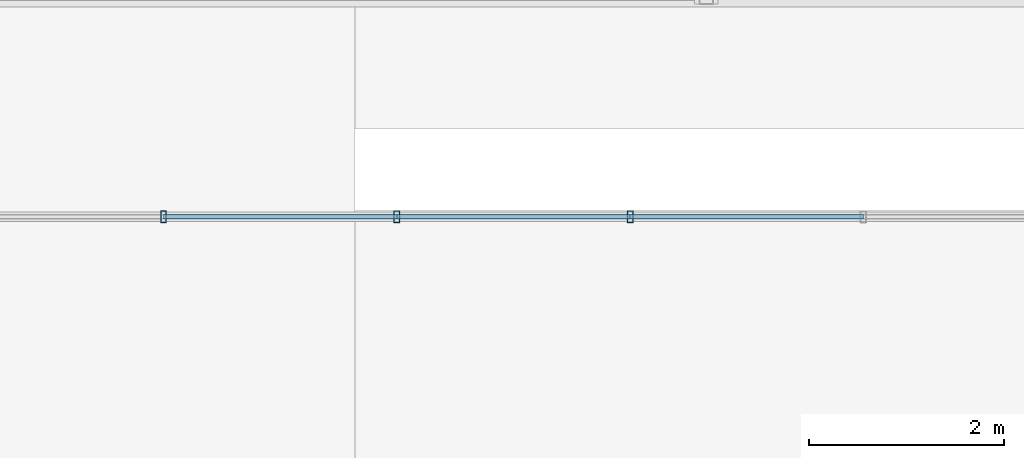
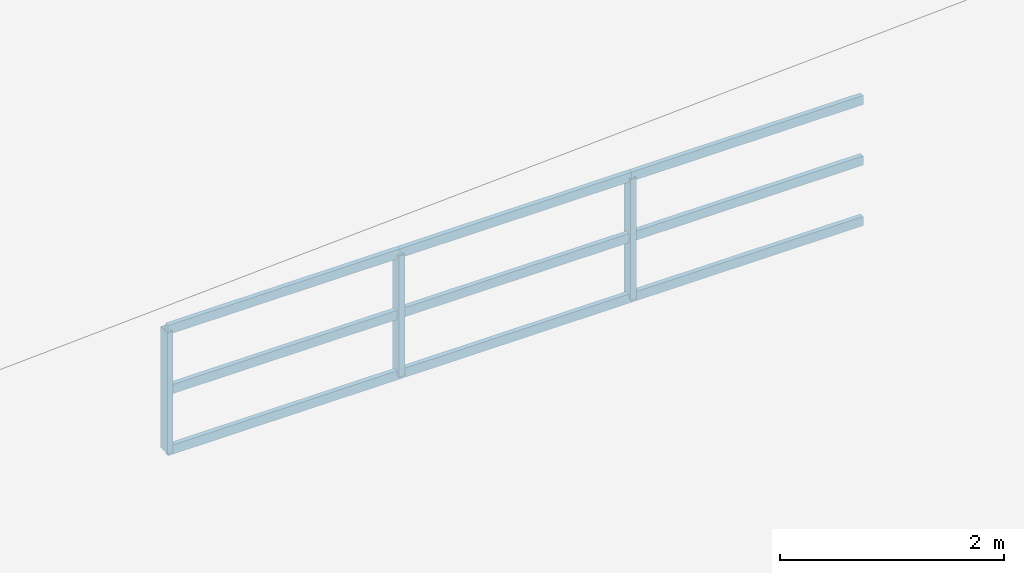
# One storey, part 4 of 141: 12 members, 1 element without a shape of its own.
"""IFC4 building model written with IfcOpenShell, lengths in metres."""

import ifcopenshell
import ifcopenshell.guid

model = None  # the IFC model being written
_history = None  # IfcOwnerHistory: only IFC2X3 demands one
_inside = {}  # id of a spatial element -> (the spatial element, [elements in it])
_under = {}  # id of a project, library or spatial element -> (it, [spatial elements below it])
_declared = {}  # id of a project -> (the project, [libraries it declares])
_typed = {}  # id of a type object -> (the type object, [elements of that type])
_made_of = {}  # id of a material, layer set ... -> (it, [elements and type objects made of it])


def new_model(schema):
    """Start an empty IFC model of exactly this schema.

    Asked for "IFC4X3", IfcOpenShell would pick the latest addendum, in which some entities
    have other attributes; the version numbers below select the first issue.
    IFC2X3 requires an IfcOwnerHistory on every rooted entity: one is made here for all.
    """
    global model, _history
    if schema == "IFC4X3":
        model = ifcopenshell.file(schema_version=(4, 3, 0, 0))
    else:
        model = ifcopenshell.file(schema=schema)
    _inside.clear()
    _under.clear()
    _declared.clear()
    _typed.clear()
    _made_of.clear()
    _history = None
    if model.schema == "IFC2X3":
        org = make("IfcOrganization", Name="unknown")
        user = make(
            "IfcPersonAndOrganization",
            ThePerson=make("IfcPerson", FamilyName="unknown"),
            TheOrganization=org,
        )
        app = make(
            "IfcApplication",
            ApplicationDeveloper=org,
            Version="unknown",
            ApplicationFullName="unknown",
            ApplicationIdentifier="unknown",
        )
        _history = make(
            "IfcOwnerHistory",
            OwningUser=user,
            OwningApplication=app,
            ChangeAction="ADDED",
            CreationDate=0,
        )
    return model


def make(cls, **values):
    """One entity of the class cls with the attributes given. An attribute that is None is left unset."""
    return model.create_entity(
        cls, **{name: value for name, value in values.items() if value is not None}
    )


def rooted(cls, **values):
    """An entity with a GlobalId (a new one), such as an element, a storey or a relation."""
    return make(cls, GlobalId=ifcopenshell.guid.new(), OwnerHistory=_history, **values)


def si_unit(unit_type, name, prefix=None):
    """IfcSIUnit, for example si_unit("LENGTHUNIT", "METRE", prefix="MILLI")."""
    return make("IfcSIUnit", UnitType=unit_type, Prefix=prefix, Name=name)


def assignment(units):
    """IfcUnitAssignment: the units of a project."""
    return None if units is None else make("IfcUnitAssignment", Units=units)


def point(xyz):
    """IfcCartesianPoint."""
    return None if xyz is None else make("IfcCartesianPoint", Coordinates=xyz)


def direction(xyz):
    """IfcDirection."""
    return None if xyz is None else make("IfcDirection", DirectionRatios=xyz)


def frame(location, z_axis=None, x_axis=None):
    """IfcAxis2Placement3D, a coordinate frame: its origin and axes. An axis left out is left unset."""
    return make(
        "IfcAxis2Placement3D",
        Location=point(location),
        Axis=direction(z_axis),
        RefDirection=direction(x_axis),
    )


def frame_2d(location, x_axis=None):
    """IfcAxis2Placement2D, a coordinate frame in the plane: its origin and x axis."""
    return make(
        "IfcAxis2Placement2D", Location=point(location), RefDirection=direction(x_axis)
    )


def origin():
    """The frame at (0, 0, 0) with its axes left unset."""
    return frame((0.0, 0.0, 0.0))


def origin_2d():
    """The frame at (0, 0) in the plane with its x axis left unset."""
    return frame_2d((0.0, 0.0))


def place(relative_to, where):
    """IfcLocalPlacement: puts the frame where relative to a parent placement (None: the world)."""
    return make(
        "IfcLocalPlacement", PlacementRelTo=relative_to, RelativePlacement=where
    )


def context(
    kind, dimensions, precision=None, world=None, true_north=None, identifier=None
):
    """IfcGeometricRepresentationContext, for example the 3D "Model" context."""
    return make(
        "IfcGeometricRepresentationContext",
        ContextIdentifier=identifier,
        ContextType=kind,
        CoordinateSpaceDimension=dimensions,
        Precision=precision,
        WorldCoordinateSystem=world,
        TrueNorth=true_north,
    )


def subcontext(parent, identifier, kind, view, scale=None):
    """IfcGeometricRepresentationSubContext, for example "Body" below "Model"."""
    return make(
        "IfcGeometricRepresentationSubContext",
        ContextIdentifier=identifier,
        ContextType=kind,
        ParentContext=parent,
        TargetScale=scale,
        TargetView=view,
    )


def project(units=None, contexts=None):
    """IfcProject with its units and contexts."""
    return rooted(
        "IfcProject",
        Name="project",
        RepresentationContexts=contexts,
        UnitsInContext=assignment(units),
    )


def spatial(cls, under=None, at=None, **own):
    """A site, building, storey or space (cls), placed at a placement, below another one or the project."""
    s = rooted(cls, ObjectPlacement=at, **own)
    if under is not None:
        _under.setdefault(under.id(), (under, []))[1].append(s)
    return s


def profile(cls, at=None, kind="AREA", **sizes):
    """A parametric profile (cls). Its sizes go by their IFC names, for example OverallWidth=200.0."""
    return make(cls, ProfileType=kind, Position=at, **sizes)


def hollow_rectangle(**sizes):
    """IfcRectangleHollowProfileDef."""
    return profile("IfcRectangleHollowProfileDef", **sizes)


def extrude(swept, where, along, depth):
    """IfcExtrudedAreaSolid: the profile swept, set in the frame where, extruded along a direction by depth."""
    return make(
        "IfcExtrudedAreaSolid",
        SweptArea=swept,
        Position=where,
        ExtrudedDirection=direction(along),
        Depth=depth,
    )


def shape(context_of_items, identifier, shape_type, items):
    """IfcShapeRepresentation: the items that make up one representation, for example the "Body"."""
    return make(
        "IfcShapeRepresentation",
        ContextOfItems=context_of_items,
        RepresentationIdentifier=identifier,
        RepresentationType=shape_type,
        Items=items,
    )


def material(Name=None, Category=None):
    """IfcMaterial."""
    return make("IfcMaterial", Name=Name, Category=Category)


def material_profile(
    of_material, cross_section, Name=None, Category=None, Priority=None
):
    """IfcMaterialProfile: a cross section and its material."""
    return make(
        "IfcMaterialProfile",
        Name=Name,
        Material=of_material,
        Profile=cross_section,
        Priority=Priority,
        Category=Category,
    )


def profile_set(profiles, Name=None, composite=None):
    """IfcMaterialProfileSet."""
    return make(
        "IfcMaterialProfileSet",
        Name=Name,
        MaterialProfiles=profiles,
        CompositeProfile=composite,
    )


def made_of(thing, what):
    """Note that an element or type object is made of a material, layer set ...; save() writes the relation."""
    if what is not None:
        _made_of.setdefault(what.id(), (what, []))[1].append(thing)
    return thing


def type_object(cls, material=None, **own):
    """A type object (cls), such as IfcWallType, which elements share."""
    return made_of(rooted(cls, **own), material)


def element(
    cls,
    number,
    at=None,
    inside=None,
    cuts=None,
    type_object=None,
    material=None,
    context=None,
    identifier="Body",
    shape_type=None,
    held_by="IfcProductDefinitionShape",
    body=None,
    shapes=None,
    **own,
):
    """One element of the class cls, such as IfcWall. Its Tag is "e" and its number.

    at: its placement. inside: the storey or other place that contains it. cuts: it is an
    opening in that element (IfcRelVoidsElement). A single representation is given by context,
    identifier, shape_type and body (its items); several are given by shapes. held_by: the class
    of the entity that holds the representations. save() writes the other relations.
    """
    e = rooted(cls, Tag="e%d" % number, ObjectPlacement=at, **own)
    if body is not None:
        shapes = [shape(context, identifier, shape_type, body)]
    if shapes is not None:
        e.Representation = make(held_by, Representations=shapes)
    if inside is not None:
        _inside.setdefault(inside.id(), (inside, []))[1].append(e)
    if cuts is not None:
        rooted(
            "IfcRelVoidsElement", RelatingBuildingElement=cuts, RelatedOpeningElement=e
        )
    if type_object is not None:
        _typed.setdefault(type_object.id(), (type_object, []))[1].append(e)
    return made_of(e, material)


def aggregate(whole, parts):
    """IfcRelAggregates: a whole, such as a stair, and the parts it consists of."""
    return rooted("IfcRelAggregates", RelatingObject=whole, RelatedObjects=parts)


def save(model, path):
    """Write the relations noted so far, then the file.

    IfcRelAggregates (storeys below a building ...), IfcRelContainedInSpatialStructure (elements
    in a storey), IfcRelDefinesByType, IfcRelAssociatesMaterial and IfcRelDeclares: one each for
    every whole, place, type object, material and project.
    """
    for whole, parts in _under.values():
        aggregate(whole, parts)
    for where, things in _inside.values():
        rooted(
            "IfcRelContainedInSpatialStructure",
            RelatedElements=things,
            RelatingStructure=where,
        )
    for kind, things in _typed.values():
        rooted("IfcRelDefinesByType", RelatedObjects=things, RelatingType=kind)
    for what, things in _made_of.values():
        rooted("IfcRelAssociatesMaterial", RelatedObjects=things, RelatingMaterial=what)
    for by, libraries in _declared.values():
        rooted("IfcRelDeclares", RelatingContext=by, RelatedDefinitions=libraries)
    model.write(path)


model = new_model("IFC4")

# Units and contexts
model_context = context("Model", 3, precision=1e-05, world=origin(), true_north=direction((0.0, 1.0)))
body_context = subcontext(model_context, "Body", "Model", "MODEL_VIEW")
ifc_project = project(units=[si_unit("LENGTHUNIT", "METRE"), si_unit("AREAUNIT", "SQUARE_METRE"), si_unit("VOLUMEUNIT", "CUBIC_METRE"), si_unit("PLANEANGLEUNIT", "RADIAN"), si_unit("MASSUNIT", "GRAM", prefix="KILO")], contexts=[model_context])

# Site, building, storey
site_placement = place(None, origin())
site = spatial("IfcSite", under=ifc_project, at=site_placement, CompositionType="ELEMENT")
building_placement = place(site_placement, origin())
building = spatial("IfcBuilding", under=site, at=building_placement, Name="Sundkrona Museum", CompositionType="ELEMENT")
storey_placement = place(building_placement, frame((0.0, 0.0, 34.0)))
storey = spatial("IfcBuildingStorey", under=building, at=storey_placement, Name="RF", CompositionType="ELEMENT", Elevation=34.0)

# Curtain wall, members
ifc_material_1 = material(Name="Unitised Aluminium-Steel and Ceramic-Clad Curtain Walling", Category="steel")
curtain_wall_type = type_object("IfcCurtainWallType", Name="CW-SW-240x13", PredefinedType="NOTDEFINED", material=ifc_material_1)
curtain_wall_placement = place(storey_placement, origin())
curtain_wall = element("IfcCurtainWall", 1, at=curtain_wall_placement, inside=storey, type_object=curtain_wall_type, Name="Sawtooth Bay 2 West North-Light Clerestory", PredefinedType="NOTDEFINED")
ifc_material_2 = material(Name="Aluminium EN AW-6060 T66", Category="aluminium")
ifc_material_profile_1 = material_profile(ifc_material_2, hollow_rectangle(XDim=0.06005859375, YDim=0.1201171875, WallThickness=0.0048828125, at=origin_2d()), Name="RHS 120x60x5.0")
ifc_profile_set_1 = profile_set([ifc_material_profile_1], Name="Aluminium EN AW-6060 T66")
member_type_1 = type_object("IfcMemberType", Name="ML-120", PredefinedType="MULLION", material=ifc_profile_set_1)
member_1_placement = place(storey_placement, frame((122.43994140625, 10.300048828125, 2.633056640625), z_axis=(0.0, 0.0, 1.0), x_axis=(1.0, 0.0, 0.0)))
member_1 = element("IfcMember", 2, at=member_1_placement, type_object=member_type_1, Name="CW-RF-SAW-02W Mullion 02", PredefinedType="MULLION", context=body_context, shape_type="SweptSolid", body=[
    extrude(hollow_rectangle(XDim=0.06005859375, YDim=0.1201171875, WallThickness=0.0048828125, at=origin_2d()), origin(), (0.0, 0.0, 1.0), 1.31982421875),
])
member_2_placement = place(storey_placement, frame((124.830078125, 10.300048828125, 2.633056640625), z_axis=(0.0, 0.0, 1.0), x_axis=(1.0, 0.0, 0.0)))
member_2 = element("IfcMember", 3, at=member_2_placement, type_object=member_type_1, Name="CW-RF-SAW-02W Mullion 03", PredefinedType="MULLION", context=body_context, shape_type="SweptSolid", body=[
    extrude(hollow_rectangle(XDim=0.06005859375, YDim=0.1201171875, WallThickness=0.0048828125, at=origin_2d()), origin(), (0.0, 0.0, 1.0), 1.31982421875),
])
member_3_placement = place(storey_placement, frame((127.219970703125, 10.300048828125, 2.633056640625), z_axis=(0.0, 0.0, 1.0), x_axis=(1.0, 0.0, 0.0)))
member_3 = element("IfcMember", 4, at=member_3_placement, type_object=member_type_1, Name="CW-RF-SAW-02W Mullion 04", PredefinedType="MULLION", context=body_context, shape_type="SweptSolid", body=[
    extrude(hollow_rectangle(XDim=0.06005859375, YDim=0.1201171875, WallThickness=0.0048828125, at=origin_2d()), origin(), (0.0, 0.0, 1.0), 1.31982421875),
])
ifc_material_profile_2 = material_profile(ifc_material_2, hollow_rectangle(XDim=0.050048828125, YDim=0.10009765625, WallThickness=0.0048828125, at=origin_2d()), Name="RHS 100x50x5.0")
ifc_profile_set_2 = profile_set([ifc_material_profile_2], Name="Aluminium EN AW-6060 T66")
member_type_2 = type_object("IfcMemberType", Name="TR-100", PredefinedType="USERDEFINED", material=ifc_profile_set_2)
member_4_placement = place(storey_placement, frame((122.43994140625, 10.300048828125, 2.633056640625), z_axis=(1.0, 0.0, 0.0), x_axis=(0.0, 1.0, 0.0)))
member_4 = element("IfcMember", 5, at=member_4_placement, type_object=member_type_2, Name="CW-RF-SAW-02W Transom 04", ObjectType="TRANSOM", PredefinedType="USERDEFINED", context=body_context, shape_type="SweptSolid", body=[
    extrude(hollow_rectangle(XDim=0.050048828125, YDim=0.10009765625, WallThickness=0.0048828125, at=origin_2d()), origin(), (0.0, 0.0, 1.0), 2.39013671875),
])
member_5_placement = place(storey_placement, frame((122.43994140625, 10.300048828125, 3.29296875), z_axis=(1.0, 0.0, 0.0), x_axis=(0.0, 1.0, 0.0)))
member_5 = element("IfcMember", 6, at=member_5_placement, type_object=member_type_2, Name="CW-RF-SAW-02W Transom 05", ObjectType="TRANSOM", PredefinedType="USERDEFINED", context=body_context, shape_type="SweptSolid", body=[
    extrude(hollow_rectangle(XDim=0.050048828125, YDim=0.10009765625, WallThickness=0.0048828125, at=origin_2d()), origin(), (0.0, 0.0, 1.0), 2.39013671875),
])
member_6_placement = place(storey_placement, frame((122.43994140625, 10.300048828125, 3.952880859375), z_axis=(1.0, 0.0, 0.0), x_axis=(0.0, 1.0, 0.0)))
member_6 = element("IfcMember", 7, at=member_6_placement, type_object=member_type_2, Name="CW-RF-SAW-02W Transom 06", ObjectType="TRANSOM", PredefinedType="USERDEFINED", context=body_context, shape_type="SweptSolid", body=[
    extrude(hollow_rectangle(XDim=0.050048828125, YDim=0.10009765625, WallThickness=0.0048828125, at=origin_2d()), origin(), (0.0, 0.0, 1.0), 2.39013671875),
])
member_7_placement = place(storey_placement, frame((124.830078125, 10.300048828125, 2.633056640625), z_axis=(1.0, 0.0, 0.0), x_axis=(0.0, 1.0, 0.0)))
member_7 = element("IfcMember", 8, at=member_7_placement, type_object=member_type_2, Name="CW-RF-SAW-02W Transom 07", ObjectType="TRANSOM", PredefinedType="USERDEFINED", context=body_context, shape_type="SweptSolid", body=[
    extrude(hollow_rectangle(XDim=0.050048828125, YDim=0.10009765625, WallThickness=0.0048828125, at=origin_2d()), origin(), (0.0, 0.0, 1.0), 2.389892578125),
])
member_8_placement = place(storey_placement, frame((124.830078125, 10.300048828125, 3.29296875), z_axis=(1.0, 0.0, 0.0), x_axis=(0.0, 1.0, 0.0)))
member_8 = element("IfcMember", 9, at=member_8_placement, type_object=member_type_2, Name="CW-RF-SAW-02W Transom 08", ObjectType="TRANSOM", PredefinedType="USERDEFINED", context=body_context, shape_type="SweptSolid", body=[
    extrude(hollow_rectangle(XDim=0.050048828125, YDim=0.10009765625, WallThickness=0.0048828125, at=origin_2d()), origin(), (0.0, 0.0, 1.0), 2.389892578125),
])
member_9_placement = place(storey_placement, frame((124.830078125, 10.300048828125, 3.952880859375), z_axis=(1.0, 0.0, 0.0), x_axis=(0.0, 1.0, 0.0)))
member_9 = element("IfcMember", 10, at=member_9_placement, type_object=member_type_2, Name="CW-RF-SAW-02W Transom 09", ObjectType="TRANSOM", PredefinedType="USERDEFINED", context=body_context, shape_type="SweptSolid", body=[
    extrude(hollow_rectangle(XDim=0.050048828125, YDim=0.10009765625, WallThickness=0.0048828125, at=origin_2d()), origin(), (0.0, 0.0, 1.0), 2.389892578125),
])
member_10_placement = place(storey_placement, frame((127.219970703125, 10.300048828125, 2.633056640625), z_axis=(1.0, 0.0, 0.0), x_axis=(0.0, 1.0, 0.0)))
member_10 = element("IfcMember", 11, at=member_10_placement, type_object=member_type_2, Name="CW-RF-SAW-02W Transom 10", ObjectType="TRANSOM", PredefinedType="USERDEFINED", context=body_context, shape_type="SweptSolid", body=[
    extrude(hollow_rectangle(XDim=0.050048828125, YDim=0.10009765625, WallThickness=0.0048828125, at=origin_2d()), origin(), (0.0, 0.0, 1.0), 2.39013671875),
])
member_11_placement = place(storey_placement, frame((127.219970703125, 10.300048828125, 3.29296875), z_axis=(1.0, 0.0, 0.0), x_axis=(0.0, 1.0, 0.0)))
member_11 = element("IfcMember", 12, at=member_11_placement, type_object=member_type_2, Name="CW-RF-SAW-02W Transom 11", ObjectType="TRANSOM", PredefinedType="USERDEFINED", context=body_context, shape_type="SweptSolid", body=[
    extrude(hollow_rectangle(XDim=0.050048828125, YDim=0.10009765625, WallThickness=0.0048828125, at=origin_2d()), origin(), (0.0, 0.0, 1.0), 2.39013671875),
])
member_12_placement = place(storey_placement, frame((127.219970703125, 10.300048828125, 3.952880859375), z_axis=(1.0, 0.0, 0.0), x_axis=(0.0, 1.0, 0.0)))
member_12 = element("IfcMember", 13, at=member_12_placement, type_object=member_type_2, Name="CW-RF-SAW-02W Transom 12", ObjectType="TRANSOM", PredefinedType="USERDEFINED", context=body_context, shape_type="SweptSolid", body=[
    extrude(hollow_rectangle(XDim=0.050048828125, YDim=0.10009765625, WallThickness=0.0048828125, at=origin_2d()), origin(), (0.0, 0.0, 1.0), 2.39013671875),
])
aggregate(curtain_wall, [member_1, member_2, member_3, member_4, member_5, member_6, member_7, member_8, member_9, member_10, member_11, member_12])

save(model, "model.ifc")
